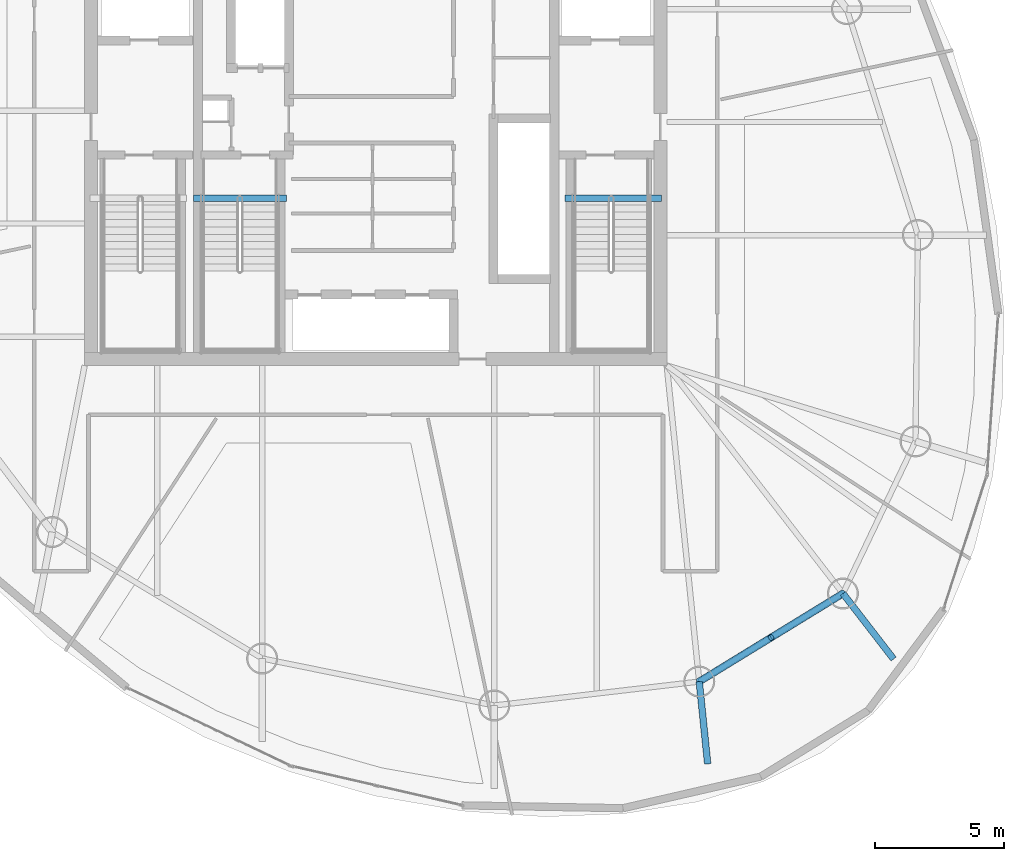
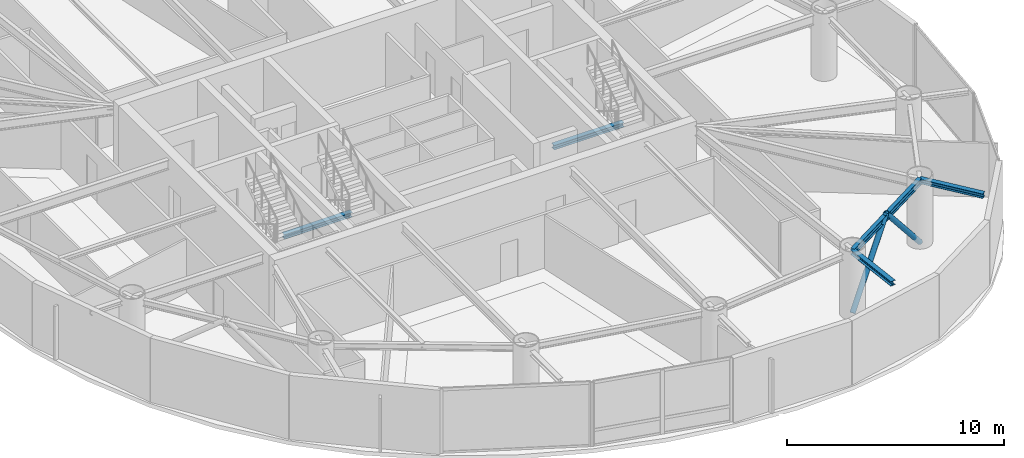
# One storey, part 7 of 22: 5 beams, 2 members.
"""IFC4 building model written with IfcOpenShell, lengths in metres."""

import ifcopenshell
import ifcopenshell.guid

model = None  # the IFC model being written
_history = None  # IfcOwnerHistory: only IFC2X3 demands one
_inside = {}  # id of a spatial element -> (the spatial element, [elements in it])
_under = {}  # id of a project, library or spatial element -> (it, [spatial elements below it])
_declared = {}  # id of a project -> (the project, [libraries it declares])
_typed = {}  # id of a type object -> (the type object, [elements of that type])
_made_of = {}  # id of a material, layer set ... -> (it, [elements and type objects made of it])


def new_model(schema):
    """Start an empty IFC model of exactly this schema.

    Asked for "IFC4X3", IfcOpenShell would pick the latest addendum, in which some entities
    have other attributes; the version numbers below select the first issue.
    IFC2X3 requires an IfcOwnerHistory on every rooted entity: one is made here for all.
    """
    global model, _history
    if schema == "IFC4X3":
        model = ifcopenshell.file(schema_version=(4, 3, 0, 0))
    else:
        model = ifcopenshell.file(schema=schema)
    _inside.clear()
    _under.clear()
    _declared.clear()
    _typed.clear()
    _made_of.clear()
    _history = None
    if model.schema == "IFC2X3":
        org = make("IfcOrganization", Name="unknown")
        user = make(
            "IfcPersonAndOrganization",
            ThePerson=make("IfcPerson", FamilyName="unknown"),
            TheOrganization=org,
        )
        app = make(
            "IfcApplication",
            ApplicationDeveloper=org,
            Version="unknown",
            ApplicationFullName="unknown",
            ApplicationIdentifier="unknown",
        )
        _history = make(
            "IfcOwnerHistory",
            OwningUser=user,
            OwningApplication=app,
            ChangeAction="ADDED",
            CreationDate=0,
        )
    return model


def make(cls, **values):
    """One entity of the class cls with the attributes given. An attribute that is None is left unset."""
    return model.create_entity(
        cls, **{name: value for name, value in values.items() if value is not None}
    )


def rooted(cls, **values):
    """An entity with a GlobalId (a new one), such as an element, a storey or a relation."""
    return make(cls, GlobalId=ifcopenshell.guid.new(), OwnerHistory=_history, **values)


def si_unit(unit_type, name, prefix=None):
    """IfcSIUnit, for example si_unit("LENGTHUNIT", "METRE", prefix="MILLI")."""
    return make("IfcSIUnit", UnitType=unit_type, Prefix=prefix, Name=name)


def assignment(units):
    """IfcUnitAssignment: the units of a project."""
    return None if units is None else make("IfcUnitAssignment", Units=units)


def point(xyz):
    """IfcCartesianPoint."""
    return None if xyz is None else make("IfcCartesianPoint", Coordinates=xyz)


def direction(xyz):
    """IfcDirection."""
    return None if xyz is None else make("IfcDirection", DirectionRatios=xyz)


def frame(location, z_axis=None, x_axis=None):
    """IfcAxis2Placement3D, a coordinate frame: its origin and axes. An axis left out is left unset."""
    return make(
        "IfcAxis2Placement3D",
        Location=point(location),
        Axis=direction(z_axis),
        RefDirection=direction(x_axis),
    )


def frame_2d(location, x_axis=None):
    """IfcAxis2Placement2D, a coordinate frame in the plane: its origin and x axis."""
    return make(
        "IfcAxis2Placement2D", Location=point(location), RefDirection=direction(x_axis)
    )


def origin():
    """The frame at (0, 0, 0) with its axes left unset."""
    return frame((0.0, 0.0, 0.0))


def origin_2d():
    """The frame at (0, 0) in the plane with its x axis left unset."""
    return frame_2d((0.0, 0.0))


def place(relative_to, where):
    """IfcLocalPlacement: puts the frame where relative to a parent placement (None: the world)."""
    return make(
        "IfcLocalPlacement", PlacementRelTo=relative_to, RelativePlacement=where
    )


def context(
    kind, dimensions, precision=None, world=None, true_north=None, identifier=None
):
    """IfcGeometricRepresentationContext, for example the 3D "Model" context."""
    return make(
        "IfcGeometricRepresentationContext",
        ContextIdentifier=identifier,
        ContextType=kind,
        CoordinateSpaceDimension=dimensions,
        Precision=precision,
        WorldCoordinateSystem=world,
        TrueNorth=true_north,
    )


def subcontext(parent, identifier, kind, view, scale=None):
    """IfcGeometricRepresentationSubContext, for example "Body" below "Model"."""
    return make(
        "IfcGeometricRepresentationSubContext",
        ContextIdentifier=identifier,
        ContextType=kind,
        ParentContext=parent,
        TargetScale=scale,
        TargetView=view,
    )


def project(units=None, contexts=None):
    """IfcProject with its units and contexts."""
    return rooted(
        "IfcProject",
        Name="project",
        RepresentationContexts=contexts,
        UnitsInContext=assignment(units),
    )


def spatial(cls, under=None, at=None, **own):
    """A site, building, storey or space (cls), placed at a placement, below another one or the project."""
    s = rooted(cls, ObjectPlacement=at, **own)
    if under is not None:
        _under.setdefault(under.id(), (under, []))[1].append(s)
    return s


def profile(cls, at=None, kind="AREA", **sizes):
    """A parametric profile (cls). Its sizes go by their IFC names, for example OverallWidth=200.0."""
    return make(cls, ProfileType=kind, Position=at, **sizes)


def hollow_circle(**sizes):
    """IfcCircleHollowProfileDef."""
    return profile("IfcCircleHollowProfileDef", **sizes)


def i_section(**sizes):
    """IfcIShapeProfileDef."""
    return profile("IfcIShapeProfileDef", **sizes)


def extrude(swept, where, along, depth):
    """IfcExtrudedAreaSolid: the profile swept, set in the frame where, extruded along a direction by depth."""
    return make(
        "IfcExtrudedAreaSolid",
        SweptArea=swept,
        Position=where,
        ExtrudedDirection=direction(along),
        Depth=depth,
    )


def shape(context_of_items, identifier, shape_type, items):
    """IfcShapeRepresentation: the items that make up one representation, for example the "Body"."""
    return make(
        "IfcShapeRepresentation",
        ContextOfItems=context_of_items,
        RepresentationIdentifier=identifier,
        RepresentationType=shape_type,
        Items=items,
    )


def material(Name=None, Category=None):
    """IfcMaterial."""
    return make("IfcMaterial", Name=Name, Category=Category)


def material_profile(
    of_material, cross_section, Name=None, Category=None, Priority=None
):
    """IfcMaterialProfile: a cross section and its material."""
    return make(
        "IfcMaterialProfile",
        Name=Name,
        Material=of_material,
        Profile=cross_section,
        Priority=Priority,
        Category=Category,
    )


def profile_set(profiles, Name=None, composite=None):
    """IfcMaterialProfileSet."""
    return make(
        "IfcMaterialProfileSet",
        Name=Name,
        MaterialProfiles=profiles,
        CompositeProfile=composite,
    )


def made_of(thing, what):
    """Note that an element or type object is made of a material, layer set ...; save() writes the relation."""
    if what is not None:
        _made_of.setdefault(what.id(), (what, []))[1].append(thing)
    return thing


def type_object(cls, material=None, **own):
    """A type object (cls), such as IfcWallType, which elements share."""
    return made_of(rooted(cls, **own), material)


def element(
    cls,
    number,
    at=None,
    inside=None,
    cuts=None,
    type_object=None,
    material=None,
    context=None,
    identifier="Body",
    shape_type=None,
    held_by="IfcProductDefinitionShape",
    body=None,
    shapes=None,
    **own,
):
    """One element of the class cls, such as IfcWall. Its Tag is "e" and its number.

    at: its placement. inside: the storey or other place that contains it. cuts: it is an
    opening in that element (IfcRelVoidsElement). A single representation is given by context,
    identifier, shape_type and body (its items); several are given by shapes. held_by: the class
    of the entity that holds the representations. save() writes the other relations.
    """
    e = rooted(cls, Tag="e%d" % number, ObjectPlacement=at, **own)
    if body is not None:
        shapes = [shape(context, identifier, shape_type, body)]
    if shapes is not None:
        e.Representation = make(held_by, Representations=shapes)
    if inside is not None:
        _inside.setdefault(inside.id(), (inside, []))[1].append(e)
    if cuts is not None:
        rooted(
            "IfcRelVoidsElement", RelatingBuildingElement=cuts, RelatedOpeningElement=e
        )
    if type_object is not None:
        _typed.setdefault(type_object.id(), (type_object, []))[1].append(e)
    return made_of(e, material)


def aggregate(whole, parts):
    """IfcRelAggregates: a whole, such as a stair, and the parts it consists of."""
    return rooted("IfcRelAggregates", RelatingObject=whole, RelatedObjects=parts)


def save(model, path):
    """Write the relations noted so far, then the file.

    IfcRelAggregates (storeys below a building ...), IfcRelContainedInSpatialStructure (elements
    in a storey), IfcRelDefinesByType, IfcRelAssociatesMaterial and IfcRelDeclares: one each for
    every whole, place, type object, material and project.
    """
    for whole, parts in _under.values():
        aggregate(whole, parts)
    for where, things in _inside.values():
        rooted(
            "IfcRelContainedInSpatialStructure",
            RelatedElements=things,
            RelatingStructure=where,
        )
    for kind, things in _typed.values():
        rooted("IfcRelDefinesByType", RelatedObjects=things, RelatingType=kind)
    for what, things in _made_of.values():
        rooted("IfcRelAssociatesMaterial", RelatedObjects=things, RelatingMaterial=what)
    for by, libraries in _declared.values():
        rooted("IfcRelDeclares", RelatingContext=by, RelatedDefinitions=libraries)
    model.write(path)


model = new_model("IFC4")

# Units and contexts
model_context = context("Model", 3, precision=1e-05, world=origin(), true_north=direction((0.0, 1.0)))
body_context = subcontext(model_context, "Body", "Model", "MODEL_VIEW")
ifc_project = project(units=[si_unit("LENGTHUNIT", "METRE"), si_unit("AREAUNIT", "SQUARE_METRE"), si_unit("VOLUMEUNIT", "CUBIC_METRE"), si_unit("PLANEANGLEUNIT", "RADIAN"), si_unit("MASSUNIT", "GRAM", prefix="KILO")], contexts=[model_context])

# Site, building, storey
site_placement = place(None, origin())
site = spatial("IfcSite", under=ifc_project, at=site_placement, CompositionType="ELEMENT")
building_placement = place(site_placement, origin())
building = spatial("IfcBuilding", under=site, at=building_placement, Name="Bramvorn Convention Spire", CompositionType="ELEMENT")
storey_placement = place(building_placement, frame((0.0, 0.0, 221.25)))
storey = spatial("IfcBuildingStorey", under=building, at=storey_placement, Name="L56", CompositionType="ELEMENT", Elevation=221.25)

# Beams
ifc_material = material(Name="Steel CSA G40.21 Grade 350 (350W)", Category="steel")
ifc_material_profile_1 = material_profile(ifc_material, i_section(OverallWidth=0.25390625, OverallDepth=0.2529296875, WebThickness=0.008544921875, FlangeThickness=0.01416015625, FilletRadius=0.011962890625, at=origin_2d()))
ifc_profile_set_1 = profile_set([ifc_material_profile_1], Name="Steel CSA G40.21 Grade 350 (350W) - W250X73")
beam_type_1 = type_object("IfcBeamType", Name="BM-W250X73", PredefinedType="BEAM", material=ifc_profile_set_1)
beam_1_placement = place(storey_placement, frame((56.058349609375, 9.739990234375, 3.493408203125), z_axis=(0.611497441422, -0.791246408607, 0.0), x_axis=(0.791246408607, 0.611497441422, 0.0)))
element("IfcBeam", 1, at=beam_1_placement, inside=storey, type_object=beam_type_1, Name="L56 slab-edge cantilever tip beam MC01", PredefinedType="BEAM", context=body_context, shape_type="SweptSolid", body=[
    extrude(i_section(OverallWidth=0.25390625, OverallDepth=0.2529296875, WebThickness=0.008544921875, FlangeThickness=0.01416015625, FilletRadius=0.011962890625, at=origin_2d()), origin(), (0.0, 0.0, 1.0), 3.199951171875),
])
beam_2_placement = place(storey_placement, frame((50.50439453125, 6.336181640625, 3.493408203125), z_axis=(0.10223018875, -0.994760769486, 0.0), x_axis=(0.994760769486, 0.10223018875, 0.0)))
element("IfcBeam", 2, at=beam_2_placement, inside=storey, type_object=beam_type_1, Name="L56 slab-edge cantilever tip beam MC16", PredefinedType="BEAM", context=body_context, shape_type="SweptSolid", body=[
    extrude(i_section(OverallWidth=0.25390625, OverallDepth=0.2529296875, WebThickness=0.008544921875, FlangeThickness=0.01416015625, FilletRadius=0.011962890625, at=origin_2d()), origin(), (0.0, 0.0, 1.0), 3.2001953125),
])
beam_3_placement = place(storey_placement, frame((45.31005859375, 25.010009765625, -0.12646484375), z_axis=(1.0, 0.0, 0.0), x_axis=(0.0, 1.0, 0.0)))
element("IfcBeam", 3, at=beam_3_placement, inside=storey, type_object=beam_type_1, Name="L56 ST2 stair arrival header beam", PredefinedType="BEAM", context=body_context, shape_type="SweptSolid", body=[
    extrude(i_section(OverallWidth=0.25390625, OverallDepth=0.2529296875, WebThickness=0.008544921875, FlangeThickness=0.01416015625, FilletRadius=0.011962890625, at=origin_2d()), origin(), (0.0, 0.0, 1.0), 3.739990234375),
])
beam_4_placement = place(storey_placement, frame((30.949951171875, 25.010009765625, -0.12646484375), z_axis=(1.0, 0.0, 0.0), x_axis=(0.0, 1.0, 0.0)))
element("IfcBeam", 4, at=beam_4_placement, inside=storey, type_object=beam_type_1, Name="L56 ST3 stair arrival header beam", PredefinedType="BEAM", context=body_context, shape_type="SweptSolid", body=[
    extrude(i_section(OverallWidth=0.25390625, OverallDepth=0.2529296875, WebThickness=0.008544921875, FlangeThickness=0.01416015625, FilletRadius=0.011962890625, at=origin_2d()), origin(), (0.0, 0.0, 1.0), 3.610107421875),
])
ifc_material_profile_2 = material_profile(ifc_material, i_section(OverallWidth=0.205078125, OverallDepth=0.35400390625, WebThickness=0.009521484375, FlangeThickness=0.016845703125, FilletRadius=0.014892578125, at=origin_2d()))
ifc_profile_set_2 = profile_set([ifc_material_profile_2], Name="Steel CSA G40.21 Grade 350 (350W) - W360X79")
beam_type_2 = type_object("IfcBeamType", Name="BM-W360X79", PredefinedType="JOIST", material=ifc_profile_set_2)
beam_5_placement = place(storey_placement, frame((50.50439453125, 6.336181640625, 3.443115234375), z_axis=(0.852616873135, 0.522536570629, 0.0), x_axis=(-0.522536570629, 0.852616873135, 0.0)))
element("IfcBeam", 5, at=beam_5_placement, inside=storey, type_object=beam_type_2, Name="L56 mega-column ring beam 16", PredefinedType="JOIST", context=body_context, shape_type="SweptSolid", body=[
    extrude(i_section(OverallWidth=0.205078125, OverallDepth=0.35400390625, WebThickness=0.009521484375, FlangeThickness=0.016845703125, FilletRadius=0.014892578125, at=origin_2d()), origin(), (0.0, 0.0, 1.0), 6.513916015625),
])

# Members
ifc_material_profile_3 = material_profile(ifc_material, hollow_circle(Radius=0.136474609375, WallThickness=0.0126953125, at=origin_2d()))
ifc_profile_set_3 = profile_set([ifc_material_profile_3], Name="Steel CSA G40.21 Grade 350 (350W) - CHS273X13")
member_type = type_object("IfcMemberType", Name="MBR-CHS273X13", PredefinedType="BRACE", material=ifc_profile_set_3)
for number, where, z_axis, x_axis, name in (
    (6, (50.50439453125, 6.336181640625, 0.0), (0.570281085842, 0.349488303244, 0.743395862933), (-0.522519873149, 0.852627106163, 0.0), "L56 perimeter Gothic lancet brace 16A"),
    (7, (56.058349609375, 9.739990234375, 0.0), (-0.570247254591, -0.349498295389, 0.743417117204), (0.522553268977, -0.852606639126, 0.0), "L56 perimeter Gothic lancet brace 16B"),
):
    element("IfcMember", number, at=place(storey_placement, frame(where, z_axis=z_axis, x_axis=x_axis)), inside=storey, type_object=member_type, Name=name, PredefinedType="BRACE", context=body_context, shape_type="SweptSolid", body=[
        extrude(hollow_circle(Radius=0.136474609375, WallThickness=0.0126953125, at=origin_2d()), origin(), (0.0, 0.0, 1.0), 4.86962890625),
    ])

save(model, "model.ifc")
